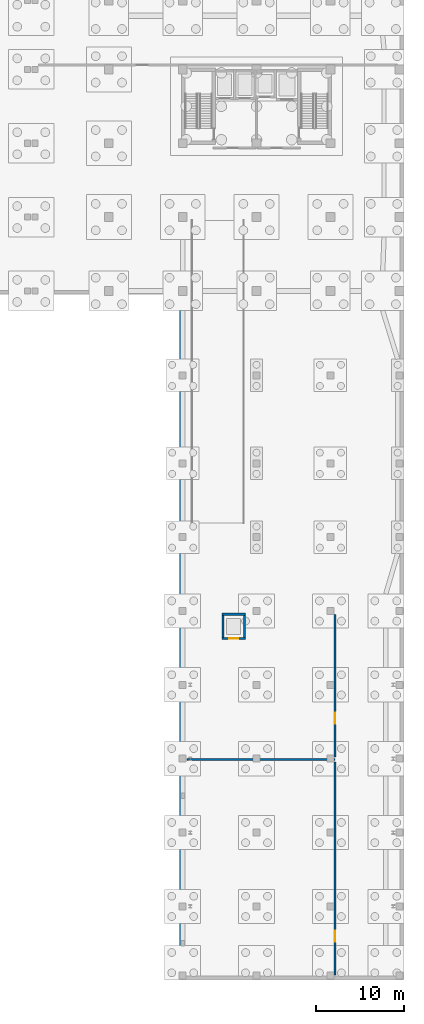
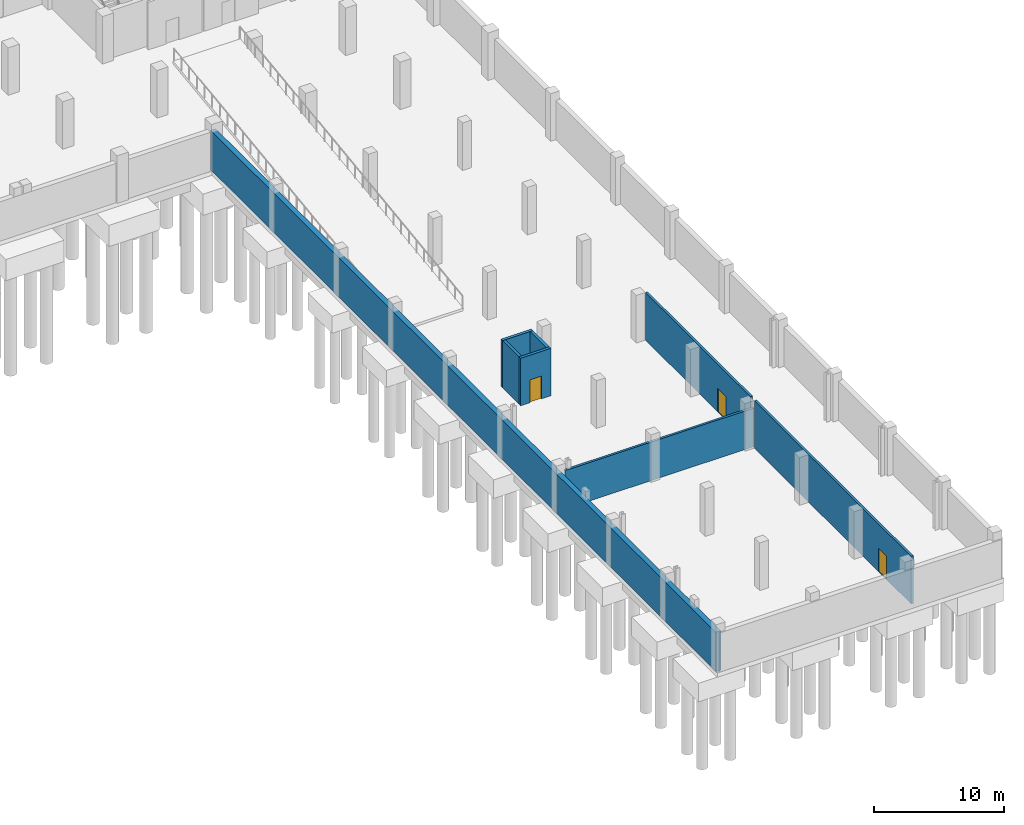
# One storey, part 11 of 18: 8 walls, 3 doors, 3 openings.
"""IFC4 building model written with IfcOpenShell, lengths in metres."""

from ifc_helpers import new_model, si_unit, direction, frame, frame_2d, origin, place, context, subcontext, project, spatial, rectangle, extrude, material, layer, layer_set, type_object, element, fill, save


model = new_model("IFC4")

# Units and contexts
model_context = context("Model", 3, precision=1e-05, world=origin(), true_north=direction((0.0, 1.0)))
body_context = subcontext(model_context, "Body", "Model", "MODEL_VIEW")
ifc_project = project(units=[si_unit("LENGTHUNIT", "METRE"), si_unit("AREAUNIT", "SQUARE_METRE"), si_unit("VOLUMEUNIT", "CUBIC_METRE"), si_unit("PLANEANGLEUNIT", "RADIAN"), si_unit("MASSUNIT", "GRAM", prefix="KILO")], contexts=[model_context])

# Site, building, storey
site_placement = place(None, origin())
site = spatial("IfcSite", under=ifc_project, at=site_placement, CompositionType="ELEMENT")
building_placement = place(site_placement, origin())
building = spatial("IfcBuilding", under=site, at=building_placement, Name="Brinegate Botanical Conservatory", CompositionType="ELEMENT")
storey_placement = place(building_placement, frame((0.0, 0.0, -9.60009765625)))
storey = spatial("IfcBuildingStorey", under=building, at=storey_placement, Name="B2", CompositionType="ELEMENT", Elevation=-9.60009765625)

# Wall, opening, door
ifc_material_1 = material(Name="Autoclaved aerated concrete C40/50 blockwork", Category="masonry")
ifc_layer_1 = layer(ifc_material_1, 0.199951171875, Name="Autoclaved aerated concrete C40/50 blockwork", Category="masonry")
ifc_layer_set_1 = layer_set([ifc_layer_1], Name="Autoclaved aerated concrete C40/50 blockwork")
wall_type_1 = type_object("IfcWallType", Name="Wall_PW-200F", PredefinedType="SOLIDWALL", material=ifc_layer_set_1)
wall_1_placement = place(storey_placement, frame((156.1201171875, 0.60009765625, 0.0), z_axis=(0.0, 0.0, 1.0), x_axis=(0.0, 1.0, 0.0)))
wall_1 = element("IfcWall", 1, at=wall_1_placement, inside=storey, type_object=wall_type_1, Name="Interior partition P-B2-CHILL-E", PredefinedType="SOLIDWALL", context=body_context, shape_type="SweptSolid", body=[
    extrude(rectangle(XDim=24.199951171875, YDim=0.199951171875, at=frame_2d((12.10009765625, 0.0))), origin(), (0.0, 0.0, 1.0), 4.47998046875),
])
opening_1_placement = place(wall_1_placement, frame((3.800048828125, 0.0, 0.0)))
opening_1 = element("IfcOpeningElement", 2, at=opening_1_placement, cuts=wall_1, Name="Opening FD-A1", PredefinedType="OPENING", context=body_context, shape_type="SweptSolid", body=[
    extrude(rectangle(XDim=1.25, YDim=2.199951171875, at=frame_2d((0.625, 1.10009765625))), frame((0.0, 0.10986328125, 0.0), z_axis=(0.0, -1.0, 0.0), x_axis=(1.0, 0.0, 0.0)), (0.0, 0.0, 1.0), 0.219970703125),
])
ifc_material_2 = material(Name="Steel fire-rated assembly", Category="steel")
door_type_1 = type_object("IfcDoorType", Name="Door_FD-A1", OperationType="NOTDEFINED", PredefinedType="DOOR", material=ifc_material_2)
door_1_placement = place(opening_1_placement, origin())
door_1 = element("IfcDoor", 3, at=door_1_placement, inside=storey, type_object=door_type_1, Name="DR-P-B2-CHILL-E-1", OperationType="SINGLE_SWING_LEFT", OverallHeight=2.199951171875, OverallWidth=1.25, PredefinedType="DOOR", context=body_context, shape_type="SweptSolid", body=[
    extrude(rectangle(XDim=1.25, YDim=2.199951171875, at=frame_2d((0.625, 1.10009765625))), frame((0.0, 0.02490234375, 0.0), z_axis=(0.0, -1.0, 0.0), x_axis=(1.0, 0.0, 0.0)), (0.0, 0.0, 1.0), 0.050048828125),
])
fill(opening_1, door_1)

wall_2_placement = place(storey_placement, frame((156.1201171875, 25.39990234375, 0.0), z_axis=(0.0, 0.0, 1.0), x_axis=(0.0, 1.0, 0.0)))
wall_2 = element("IfcWall", 4, at=wall_2_placement, inside=storey, type_object=wall_type_1, Name="Interior partition P-B2-FPUMP-E", PredefinedType="SOLIDWALL", context=body_context, shape_type="SweptSolid", body=[
    extrude(rectangle(XDim=16.2001953125, YDim=0.199951171875, at=frame_2d((8.10009765625, 0.0))), origin(), (0.0, 0.0, 1.0), 4.47998046875),
])
opening_2_placement = place(wall_2_placement, frame((3.800048828125, 0.0, 0.0)))
opening_2 = element("IfcOpeningElement", 5, at=opening_2_placement, cuts=wall_2, Name="Opening FD-A1", PredefinedType="OPENING", context=body_context, shape_type="SweptSolid", body=[
    extrude(rectangle(XDim=1.25, YDim=2.199951171875, at=frame_2d((0.625, 1.10009765625))), frame((0.0, 0.10986328125, 0.0), z_axis=(0.0, -1.0, 0.0), x_axis=(1.0, 0.0, 0.0)), (0.0, 0.0, 1.0), 0.219970703125),
])
door_2_placement = place(opening_2_placement, origin())
door_2 = element("IfcDoor", 6, at=door_2_placement, inside=storey, type_object=door_type_1, Name="DR-P-B2-FPUMP-E-1", OperationType="SINGLE_SWING_LEFT", OverallHeight=2.199951171875, OverallWidth=1.25, PredefinedType="DOOR", context=body_context, shape_type="SweptSolid", body=[
    extrude(rectangle(XDim=1.25, YDim=2.199951171875, at=frame_2d((0.625, 1.10009765625))), frame((0.0, 0.02490234375, 0.0), z_axis=(0.0, -1.0, 0.0), x_axis=(1.0, 0.0, 0.0)), (0.0, 0.0, 1.0), 0.050048828125),
])
fill(opening_2, door_2)

# Wall
wall_3_placement = place(storey_placement, frame((139.300048828125, 25.10009765625, 0.0), z_axis=(0.0, 0.0, 1.0), x_axis=(1.0, 0.0, 0.0)))
element("IfcWall", 7, at=wall_3_placement, inside=storey, type_object=wall_type_1, Name="Interior partition P-B2-DIV25", PredefinedType="SOLIDWALL", context=body_context, shape_type="SweptSolid", body=[
    extrude(rectangle(XDim=16.820068359375, YDim=0.199951171875, at=frame_2d((8.41015625, 0.0))), origin(), (0.0, 0.0, 1.0), 3.630126953125),
])

# Wall, opening, door
ifc_material_3 = material(Name="Concrete C40/50", Category="concrete")
ifc_layer_2 = layer(ifc_material_3, 0.25, Name="Concrete C40/50", Category="concrete")
ifc_layer_set_2 = layer_set([ifc_layer_2], Name="Concrete C40/50")
wall_type_2 = type_object("IfcWallType", Name="Wall_SW-250", PredefinedType="SHEAR", material=ifc_layer_set_2)
wall_4_placement = place(storey_placement, frame((143.25, 38.875, 0.0), z_axis=(0.0, 0.0, 1.0), x_axis=(1.0, 0.0, 0.0)))
wall_4 = element("IfcWall", 8, at=wall_4_placement, inside=storey, type_object=wall_type_2, Name="Lift shaft LF6 shear wall B2 S", PredefinedType="SHEAR", context=body_context, shape_type="SweptSolid", body=[
    extrude(rectangle(XDim=2.699951171875, YDim=0.25, at=frame_2d((1.35009765625, 0.0))), origin(), (0.0, 0.0, 1.0), 4.47998046875),
])
opening_3_placement = place(wall_4_placement, frame((0.8349609375, 0.0, 0.0)))
opening_3 = element("IfcOpeningElement", 9, at=opening_3_placement, cuts=wall_4, Name="Opening LD-06", PredefinedType="OPENING", context=body_context, shape_type="SweptSolid", body=[
    extrude(rectangle(XDim=1.030029296875, YDim=2.14990234375, at=frame_2d((0.51513671875, 1.074951171875))), frame((0.0, 0.135009765625, 0.0), z_axis=(0.0, -1.0, 0.0), x_axis=(1.0, 0.0, 0.0)), (0.0, 0.0, 1.0), 0.27001953125),
])
ifc_material_4 = material(Name="Brushed stainless steel S355 landing door", Category="steel")
door_type_2 = type_object("IfcDoorType", Name="Door_LD-06", OperationType="SLIDING_TO_LEFT", PredefinedType="DOOR", material=ifc_material_4)
door_3_placement = place(opening_3_placement, origin())
door_3 = element("IfcDoor", 10, at=door_3_placement, inside=storey, type_object=door_type_2, Name="LD-LF6-B2", OperationType="SLIDING_TO_LEFT", OverallHeight=2.14990234375, OverallWidth=1.030029296875, PredefinedType="DOOR", context=body_context, shape_type="SweptSolid", body=[
    extrude(rectangle(XDim=1.030029296875, YDim=2.14990234375, at=frame_2d((0.51513671875, 1.074951171875))), frame((0.0, 0.02490234375, 0.0), z_axis=(0.0, -1.0, 0.0), x_axis=(1.0, 0.0, 0.0)), (0.0, 0.0, 1.0), 0.050048828125),
])
fill(opening_3, door_3)

# Walls
wall_5_placement = place(storey_placement, frame((143.25, 41.625, 0.0), z_axis=(0.0, 0.0, 1.0), x_axis=(1.0, 0.0, 0.0)))
element("IfcWall", 11, at=wall_5_placement, inside=storey, type_object=wall_type_2, Name="Lift shaft LF6 shear wall B2 N", PredefinedType="SHEAR", context=body_context, shape_type="SweptSolid", body=[
    extrude(rectangle(XDim=2.699951171875, YDim=0.25, at=frame_2d((1.35009765625, 0.0))), origin(), (0.0, 0.0, 1.0), 4.47998046875),
])
for number, where, z_axis, x_axis, name in (
    (12, (143.375, 39.0, 0.0), (0.0, 0.0, 1.0), (0.0, 1.0, 0.0), "Lift shaft LF6 shear wall B2 W"),
    (13, (145.824951171875, 39.0, 0.0), (0.0, 0.0, 1.0), (0.0, 1.0, 0.0), "Lift shaft LF6 shear wall B2 E"),
):
    element("IfcWall", number, at=place(storey_placement, frame(where, z_axis=z_axis, x_axis=x_axis)), inside=storey, type_object=wall_type_2, Name=name, PredefinedType="SHEAR", context=body_context, shape_type="SweptSolid", body=[
        extrude(rectangle(XDim=2.5, YDim=0.25, at=frame_2d((1.25, 0.0))), origin(), (0.0, 0.0, 1.0), 4.47998046875),
    ])
ifc_material_5 = material(Name="Concrete C50/60", Category="concrete")
ifc_layer_3 = layer(ifc_material_5, 0.449951171875, Name="Concrete C50/60", Category="concrete")
ifc_layer_set_3 = layer_set([ifc_layer_3], Name="Concrete C50/60")
wall_type_3 = type_object("IfcWallType", Name="Wall_SW-450", PredefinedType="SHEAR", material=ifc_layer_set_3)
wall_6_placement = place(storey_placement, frame((138.64990234375, 78.25, 0.0), z_axis=(0.0, 0.0, 1.0), x_axis=(0.0, -1.0, 0.0)))
element("IfcWall", 14, at=wall_6_placement, inside=storey, type_object=wall_type_3, Name="Basement perimeter retaining shear wall B2.2", PredefinedType="SHEAR", context=body_context, shape_type="SweptSolid", body=[
    extrude(rectangle(XDim=77.989990234375, YDim=0.449951171875, at=frame_2d((38.9951171875, 0.0))), origin(), (0.0, 0.0, 1.0), 3.7001953125),
])

save(model, "model.ifc")
